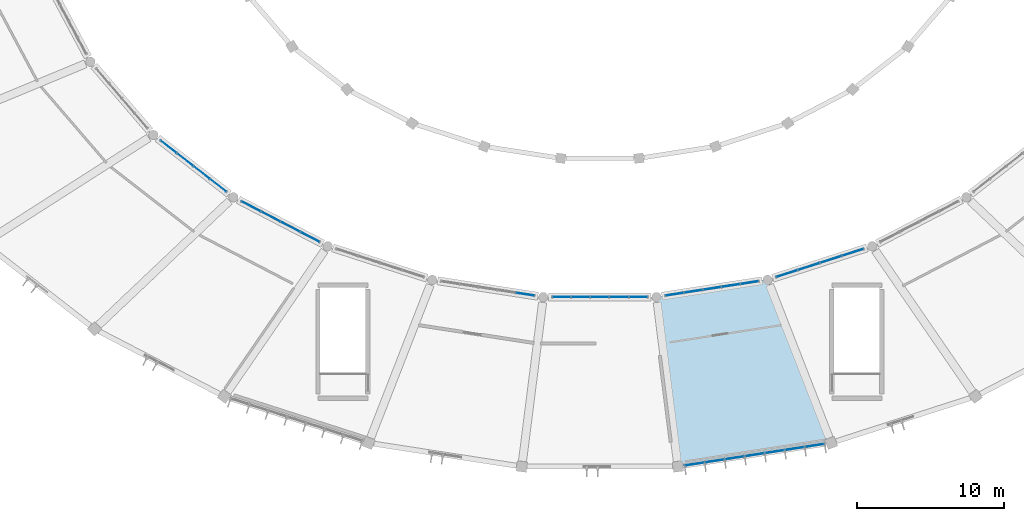
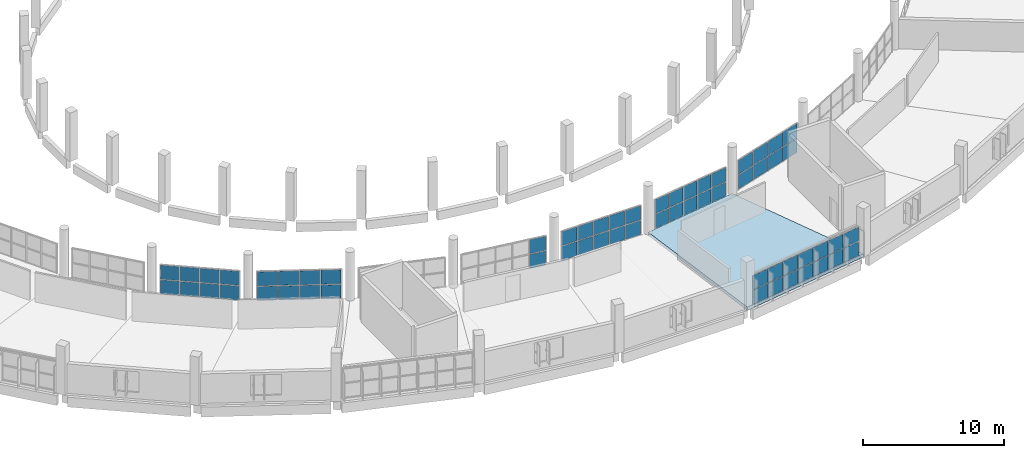
# One storey, part 76 of 142: 60 plates, 1 slab, 7 elements without a shape of their own.
"""IFC4 building model written with IfcOpenShell, lengths in metres."""

from ifc_helpers import new_model, si_unit, direction, frame, origin, origin_2d, place, context, subcontext, project, spatial, polyline, rectangle, outline, extrude, material, layer, layer_set, type_object, element, aggregate, save


model = new_model("IFC4")

# Units and contexts
model_context = context("Model", 3, precision=1e-05, world=origin(), true_north=direction((0.0, 1.0)))
body_context = subcontext(model_context, "Body", "Model", "MODEL_VIEW")
ifc_project = project(units=[si_unit("LENGTHUNIT", "METRE"), si_unit("AREAUNIT", "SQUARE_METRE"), si_unit("VOLUMEUNIT", "CUBIC_METRE"), si_unit("PLANEANGLEUNIT", "RADIAN"), si_unit("MASSUNIT", "GRAM", prefix="KILO")], contexts=[model_context])

# Site, building, storey
site_placement = place(None, origin())
site = spatial("IfcSite", under=ifc_project, at=site_placement, CompositionType="ELEMENT")
building_placement = place(site_placement, origin())
building = spatial("IfcBuilding", under=site, at=building_placement, Name="Corvandel Quay Wholesale Market", CompositionType="ELEMENT")
storey_placement = place(building_placement, frame((0.0, 0.0, 10.800048828125)))
storey = spatial("IfcBuildingStorey", under=building, at=storey_placement, Name="L02", CompositionType="ELEMENT", Elevation=10.800048828125)

# Slab
ifc_material_1 = material(Name="Concrete C40/50", Category="concrete")
ifc_layer_1 = layer(ifc_material_1, 0.280029296875)
ifc_layer_set_1 = layer_set([ifc_layer_1], Name="Concrete C40/50")
slab_type = type_object("IfcSlabType", Name="Composite Sorting Gallery Floor Slab 280", PredefinedType="FLOOR", material=ifc_layer_set_1)
slab_placement = place(storey_placement, frame((0.0, 0.0, -0.280029296875)))
element("IfcSlab", 1, at=slab_placement, inside=storey, type_object=slab_type, Name="Slab SLB-0117", PredefinedType="FLOOR", context=body_context, shape_type="SweptSolid", body=[
    extrude(outline(polyline([(117.85595703125, 11.550048828125), (125.419921875, 12.719970703125), (129.7509765625, 1.614013671875), (119.319091796875, 0.0), (117.85595703125, 11.550048828125)])), origin(), (0.0, 0.0, 1.0), 0.280029296875),
])

# Curtain wall, plates
ifc_material_2 = material(Name="Bronze anodised aluminium and low-E insulated glazing", Category="aluminium")
ifc_layer_2 = layer(ifc_material_2, 0.18603515625)
ifc_layer_set_2 = layer_set([ifc_layer_2], Name="Bronze anodised aluminium and low-E insulated glazing")
curtain_wall_type_1 = type_object("IfcCurtainWallType", Name="Stick Curtain Wall System CW13 H4170", PredefinedType="NOTDEFINED", material=ifc_layer_set_2)
curtain_wall_1_placement = place(storey_placement, origin())
curtain_wall_1 = element("IfcCurtainWall", 2, at=curtain_wall_1_placement, inside=storey, type_object=curtain_wall_type_1, Name="Curtain Wall CW-0059", PredefinedType="NOTDEFINED")
ifc_material_3 = material(Name="Solar-control low-E insulated glazing", Category="glass")
ifc_layer_3 = layer(ifc_material_3, 0.028076171875)
ifc_layer_set_3 = layer_set([ifc_layer_3], Name="Solar-control low-E insulated glazing")
plate_type = type_object("IfcPlateType", Name="Double Low-E Vision Panel PN01 28mm", PredefinedType="CURTAIN_PANEL", material=ifc_layer_set_3)
plate_1_placement = place(storey_placement, frame((84.626708984375, 21.78271484375, 0.02978515625), z_axis=(0.0, 0.0, 1.0), x_axis=(-0.789405615633, 0.613871952452, 0.0)))
plate_1 = element("IfcPlate", 3, at=plate_1_placement, type_object=plate_type, Name="Glazing Panel CW-0059-P00-0", PredefinedType="CURTAIN_PANEL", context=body_context, shape_type="SweptSolid", body=[
    extrude(rectangle(XDim=1.362060546875, YDim=0.028076171875, at=origin_2d()), origin(), (0.0, 0.0, 1.0), 1.215087890625),
])
plate_2_placement = place(storey_placement, frame((84.626708984375, 21.78271484375, 1.3046875), z_axis=(0.0, 0.0, 1.0), x_axis=(-0.789405615633, 0.613871952452, 0.0)))
plate_2 = element("IfcPlate", 4, at=plate_2_placement, type_object=plate_type, Name="Glazing Panel CW-0059-P00-1", PredefinedType="CURTAIN_PANEL", context=body_context, shape_type="SweptSolid", body=[
    extrude(rectangle(XDim=1.362060546875, YDim=0.028076171875, at=origin_2d()), origin(), (0.0, 0.0, 1.0), 1.215087890625),
])
plate_3_placement = place(storey_placement, frame((85.75341796875, 20.906494140625, 0.02978515625), z_axis=(0.0, 0.0, 1.0), x_axis=(-0.789405615633, 0.613871952452, 0.0)))
plate_3 = element("IfcPlate", 5, at=plate_3_placement, type_object=plate_type, Name="Glazing Panel CW-0059-P01-0", PredefinedType="CURTAIN_PANEL", context=body_context, shape_type="SweptSolid", body=[
    extrude(rectangle(XDim=1.362060546875, YDim=0.028076171875, at=origin_2d()), origin(), (0.0, 0.0, 1.0), 1.215087890625),
])
plate_4_placement = place(storey_placement, frame((85.75341796875, 20.906494140625, 1.3046875), z_axis=(0.0, 0.0, 1.0), x_axis=(-0.789405615633, 0.613871952452, 0.0)))
plate_4 = element("IfcPlate", 6, at=plate_4_placement, type_object=plate_type, Name="Glazing Panel CW-0059-P01-1", PredefinedType="CURTAIN_PANEL", context=body_context, shape_type="SweptSolid", body=[
    extrude(rectangle(XDim=1.362060546875, YDim=0.028076171875, at=origin_2d()), origin(), (0.0, 0.0, 1.0), 1.215087890625),
])
plate_5_placement = place(storey_placement, frame((86.879638671875, 20.030517578125, 0.02978515625), z_axis=(0.0, 0.0, 1.0), x_axis=(-0.789405615633, 0.613871952452, 0.0)))
plate_5 = element("IfcPlate", 7, at=plate_5_placement, type_object=plate_type, Name="Glazing Panel CW-0059-P02-0", PredefinedType="CURTAIN_PANEL", context=body_context, shape_type="SweptSolid", body=[
    extrude(rectangle(XDim=1.362060546875, YDim=0.028076171875, at=origin_2d()), origin(), (0.0, 0.0, 1.0), 1.215087890625),
])
plate_6_placement = place(storey_placement, frame((86.879638671875, 20.030517578125, 1.3046875), z_axis=(0.0, 0.0, 1.0), x_axis=(-0.789405615633, 0.613871952452, 0.0)))
plate_6 = element("IfcPlate", 8, at=plate_6_placement, type_object=plate_type, Name="Glazing Panel CW-0059-P02-1", PredefinedType="CURTAIN_PANEL", context=body_context, shape_type="SweptSolid", body=[
    extrude(rectangle(XDim=1.362060546875, YDim=0.028076171875, at=origin_2d()), origin(), (0.0, 0.0, 1.0), 1.215087890625),
])
plate_7_placement = place(storey_placement, frame((88.006103515625, 19.154296875, 0.02978515625), z_axis=(0.0, 0.0, 1.0), x_axis=(-0.789405615633, 0.613871952452, 0.0)))
plate_7 = element("IfcPlate", 9, at=plate_7_placement, type_object=plate_type, Name="Glazing Panel CW-0059-P03-0", PredefinedType="CURTAIN_PANEL", context=body_context, shape_type="SweptSolid", body=[
    extrude(rectangle(XDim=1.362060546875, YDim=0.028076171875, at=origin_2d()), origin(), (0.0, 0.0, 1.0), 1.215087890625),
])
plate_8_placement = place(storey_placement, frame((88.006103515625, 19.154296875, 1.3046875), z_axis=(0.0, 0.0, 1.0), x_axis=(-0.789405615633, 0.613871952452, 0.0)))
plate_8 = element("IfcPlate", 10, at=plate_8_placement, type_object=plate_type, Name="Glazing Panel CW-0059-P03-1", PredefinedType="CURTAIN_PANEL", context=body_context, shape_type="SweptSolid", body=[
    extrude(rectangle(XDim=1.362060546875, YDim=0.028076171875, at=origin_2d()), origin(), (0.0, 0.0, 1.0), 1.215087890625),
])
aggregate(curtain_wall_1, [plate_1, plate_2, plate_3, plate_4, plate_5, plate_6, plate_7, plate_8])

ifc_layer_4 = layer(ifc_material_2, 0.197998046875)
ifc_layer_set_4 = layer_set([ifc_layer_4], Name="Bronze anodised aluminium and low-E insulated glazing")
curtain_wall_type_2 = type_object("IfcCurtainWallType", Name="Stick Curtain Wall System CW14 H4260", PredefinedType="NOTDEFINED", material=ifc_layer_set_4)
curtain_wall_2_placement = place(storey_placement, origin())
curtain_wall_2 = element("IfcCurtainWall", 11, at=curtain_wall_2_placement, inside=storey, type_object=curtain_wall_type_2, Name="Curtain Wall CW-0062", PredefinedType="NOTDEFINED")
plate_9_placement = place(storey_placement, frame((90.243896484375, 17.72412109375, 0.02978515625), z_axis=(0.0, 0.0, 1.0), x_axis=(-0.887332978338, 0.461129250378, 0.0)))
plate_9 = element("IfcPlate", 12, at=plate_9_placement, type_object=plate_type, Name="Glazing Panel CW-0062-P00-0", PredefinedType="CURTAIN_PANEL", context=body_context, shape_type="SweptSolid", body=[
    extrude(rectangle(XDim=1.44189453125, YDim=0.028076171875, at=origin_2d()), origin(), (0.0, 0.0, 1.0), 1.215087890625),
])
plate_10_placement = place(storey_placement, frame((90.243896484375, 17.72412109375, 1.3046875), z_axis=(0.0, 0.0, 1.0), x_axis=(-0.887332978338, 0.461129250378, 0.0)))
plate_10 = element("IfcPlate", 13, at=plate_10_placement, type_object=plate_type, Name="Glazing Panel CW-0062-P00-1", PredefinedType="CURTAIN_PANEL", context=body_context, shape_type="SweptSolid", body=[
    extrude(rectangle(XDim=1.44189453125, YDim=0.028076171875, at=origin_2d()), origin(), (0.0, 0.0, 1.0), 1.215087890625),
])
plate_11_placement = place(storey_placement, frame((91.5810546875, 17.029296875, 0.02978515625), z_axis=(0.0, 0.0, 1.0), x_axis=(-0.887332978338, 0.461129250378, 0.0)))
plate_11 = element("IfcPlate", 14, at=plate_11_placement, type_object=plate_type, Name="Glazing Panel CW-0062-P01-0", PredefinedType="CURTAIN_PANEL", context=body_context, shape_type="SweptSolid", body=[
    extrude(rectangle(XDim=1.44189453125, YDim=0.028076171875, at=origin_2d()), origin(), (0.0, 0.0, 1.0), 1.215087890625),
])
plate_12_placement = place(storey_placement, frame((91.5810546875, 17.029296875, 1.3046875), z_axis=(0.0, 0.0, 1.0), x_axis=(-0.887332978338, 0.461129250378, 0.0)))
plate_12 = element("IfcPlate", 15, at=plate_12_placement, type_object=plate_type, Name="Glazing Panel CW-0062-P01-1", PredefinedType="CURTAIN_PANEL", context=body_context, shape_type="SweptSolid", body=[
    extrude(rectangle(XDim=1.44189453125, YDim=0.028076171875, at=origin_2d()), origin(), (0.0, 0.0, 1.0), 1.215087890625),
])
plate_13_placement = place(storey_placement, frame((92.91796875, 16.334716796875, 0.02978515625), z_axis=(0.0, 0.0, 1.0), x_axis=(-0.887332978338, 0.461129250378, 0.0)))
plate_13 = element("IfcPlate", 16, at=plate_13_placement, type_object=plate_type, Name="Glazing Panel CW-0062-P02-0", PredefinedType="CURTAIN_PANEL", context=body_context, shape_type="SweptSolid", body=[
    extrude(rectangle(XDim=1.44189453125, YDim=0.028076171875, at=origin_2d()), origin(), (0.0, 0.0, 1.0), 1.215087890625),
])
plate_14_placement = place(storey_placement, frame((92.91796875, 16.334716796875, 1.3046875), z_axis=(0.0, 0.0, 1.0), x_axis=(-0.887332978338, 0.461129250378, 0.0)))
plate_14 = element("IfcPlate", 17, at=plate_14_placement, type_object=plate_type, Name="Glazing Panel CW-0062-P02-1", PredefinedType="CURTAIN_PANEL", context=body_context, shape_type="SweptSolid", body=[
    extrude(rectangle(XDim=1.44189453125, YDim=0.028076171875, at=origin_2d()), origin(), (0.0, 0.0, 1.0), 1.215087890625),
])
plate_15_placement = place(storey_placement, frame((94.255126953125, 15.639892578125, 0.02978515625), z_axis=(0.0, 0.0, 1.0), x_axis=(-0.887332978338, 0.461129250378, 0.0)))
plate_15 = element("IfcPlate", 18, at=plate_15_placement, type_object=plate_type, Name="Glazing Panel CW-0062-P03-0", PredefinedType="CURTAIN_PANEL", context=body_context, shape_type="SweptSolid", body=[
    extrude(rectangle(XDim=1.44189453125, YDim=0.028076171875, at=origin_2d()), origin(), (0.0, 0.0, 1.0), 1.215087890625),
])
plate_16_placement = place(storey_placement, frame((94.255126953125, 15.639892578125, 1.3046875), z_axis=(0.0, 0.0, 1.0), x_axis=(-0.887332978338, 0.461129250378, 0.0)))
plate_16 = element("IfcPlate", 19, at=plate_16_placement, type_object=plate_type, Name="Glazing Panel CW-0062-P03-1", PredefinedType="CURTAIN_PANEL", context=body_context, shape_type="SweptSolid", body=[
    extrude(rectangle(XDim=1.44189453125, YDim=0.028076171875, at=origin_2d()), origin(), (0.0, 0.0, 1.0), 1.215087890625),
])
aggregate(curtain_wall_2, [plate_9, plate_10, plate_11, plate_12, plate_13, plate_14, plate_15, plate_16])

ifc_layer_5 = layer(ifc_material_2, 0.162109375)
ifc_layer_set_5 = layer_set([ifc_layer_5], Name="Bronze anodised aluminium and low-E insulated glazing")
curtain_wall_type_3 = type_object("IfcCurtainWallType", Name="Stick Curtain Wall System CW16 H4440", PredefinedType="NOTDEFINED", material=ifc_layer_set_5)
curtain_wall_3_placement = place(storey_placement, origin())
curtain_wall_3 = element("IfcCurtainWall", 20, at=curtain_wall_3_placement, inside=storey, type_object=curtain_wall_type_3, Name="Curtain Wall CW-0068", PredefinedType="NOTDEFINED")
plate_17_placement = place(storey_placement, frame((108.9130859375, 11.740478515625, 0.02978515625), z_axis=(0.0, 0.0, 1.0), x_axis=(-0.98825506746, 0.152813355565, 0.0)))
plate_17 = element("IfcPlate", 21, at=plate_17_placement, type_object=plate_type, Name="Glazing Panel CW-0068-P04-0", PredefinedType="CURTAIN_PANEL", context=body_context, shape_type="SweptSolid", body=[
    extrude(rectangle(XDim=1.225830078125, YDim=0.028076171875, at=origin_2d()), origin(), (0.0, 0.0, 1.0), 1.215087890625),
])
plate_18_placement = place(storey_placement, frame((108.9130859375, 11.740478515625, 1.3046875), z_axis=(0.0, 0.0, 1.0), x_axis=(-0.98825506746, 0.152813355565, 0.0)))
plate_18 = element("IfcPlate", 22, at=plate_18_placement, type_object=plate_type, Name="Glazing Panel CW-0068-P04-1", PredefinedType="CURTAIN_PANEL", context=body_context, shape_type="SweptSolid", body=[
    extrude(rectangle(XDim=1.225830078125, YDim=0.028076171875, at=origin_2d()), origin(), (0.0, 0.0, 1.0), 1.215087890625),
])
aggregate(curtain_wall_3, [plate_17, plate_18])

ifc_layer_6 = layer(ifc_material_2, 0.174072265625)
ifc_layer_set_6 = layer_set([ifc_layer_6], Name="Bronze anodised aluminium and low-E insulated glazing")
curtain_wall_type_4 = type_object("IfcCurtainWallType", Name="Stick Curtain Wall System CW17 H4530", PredefinedType="NOTDEFINED", material=ifc_layer_set_6)
curtain_wall_4_placement = place(storey_placement, origin())
curtain_wall_4 = element("IfcCurtainWall", 23, at=curtain_wall_4_placement, inside=storey, type_object=curtain_wall_type_4, Name="Curtain Wall CW-0070", PredefinedType="NOTDEFINED")
plate_19_placement = place(storey_placement, frame((111.395263671875, 11.550048828125, 0.02978515625), z_axis=(0.0, 0.0, 1.0), x_axis=(1.0, 0.0, 0.0)))
plate_19 = element("IfcPlate", 24, at=plate_19_placement, type_object=plate_type, Name="Glazing Panel CW-0070-P00-0", PredefinedType="CURTAIN_PANEL", context=body_context, shape_type="SweptSolid", body=[
    extrude(rectangle(XDim=1.2373046875, YDim=0.028076171875, at=origin_2d()), origin(), (0.0, 0.0, 1.0), 1.215087890625),
])
plate_20_placement = place(storey_placement, frame((111.395263671875, 11.550048828125, 1.3046875), z_axis=(0.0, 0.0, 1.0), x_axis=(1.0, 0.0, 0.0)))
plate_20 = element("IfcPlate", 25, at=plate_20_placement, type_object=plate_type, Name="Glazing Panel CW-0070-P00-1", PredefinedType="CURTAIN_PANEL", context=body_context, shape_type="SweptSolid", body=[
    extrude(rectangle(XDim=1.2373046875, YDim=0.028076171875, at=origin_2d()), origin(), (0.0, 0.0, 1.0), 1.215087890625),
])
plate_21_placement = place(storey_placement, frame((112.697509765625, 11.550048828125, 0.02978515625), z_axis=(0.0, 0.0, 1.0), x_axis=(1.0, 0.0, 0.0)))
plate_21 = element("IfcPlate", 26, at=plate_21_placement, type_object=plate_type, Name="Glazing Panel CW-0070-P01-0", PredefinedType="CURTAIN_PANEL", context=body_context, shape_type="SweptSolid", body=[
    extrude(rectangle(XDim=1.2373046875, YDim=0.028076171875, at=origin_2d()), origin(), (0.0, 0.0, 1.0), 1.215087890625),
])
plate_22_placement = place(storey_placement, frame((112.697509765625, 11.550048828125, 1.3046875), z_axis=(0.0, 0.0, 1.0), x_axis=(1.0, 0.0, 0.0)))
plate_22 = element("IfcPlate", 27, at=plate_22_placement, type_object=plate_type, Name="Glazing Panel CW-0070-P01-1", PredefinedType="CURTAIN_PANEL", context=body_context, shape_type="SweptSolid", body=[
    extrude(rectangle(XDim=1.2373046875, YDim=0.028076171875, at=origin_2d()), origin(), (0.0, 0.0, 1.0), 1.215087890625),
])
plate_23_placement = place(storey_placement, frame((114.0, 11.550048828125, 0.02978515625), z_axis=(0.0, 0.0, 1.0), x_axis=(1.0, 0.0, 0.0)))
plate_23 = element("IfcPlate", 28, at=plate_23_placement, type_object=plate_type, Name="Glazing Panel CW-0070-P02-0", PredefinedType="CURTAIN_PANEL", context=body_context, shape_type="SweptSolid", body=[
    extrude(rectangle(XDim=1.2373046875, YDim=0.028076171875, at=origin_2d()), origin(), (0.0, 0.0, 1.0), 1.215087890625),
])
plate_24_placement = place(storey_placement, frame((114.0, 11.550048828125, 1.3046875), z_axis=(0.0, 0.0, 1.0), x_axis=(1.0, 0.0, 0.0)))
plate_24 = element("IfcPlate", 29, at=plate_24_placement, type_object=plate_type, Name="Glazing Panel CW-0070-P02-1", PredefinedType="CURTAIN_PANEL", context=body_context, shape_type="SweptSolid", body=[
    extrude(rectangle(XDim=1.2373046875, YDim=0.028076171875, at=origin_2d()), origin(), (0.0, 0.0, 1.0), 1.215087890625),
])
plate_25_placement = place(storey_placement, frame((115.302490234375, 11.550048828125, 0.02978515625), z_axis=(0.0, 0.0, 1.0), x_axis=(1.0, 0.0, 0.0)))
plate_25 = element("IfcPlate", 30, at=plate_25_placement, type_object=plate_type, Name="Glazing Panel CW-0070-P03-0", PredefinedType="CURTAIN_PANEL", context=body_context, shape_type="SweptSolid", body=[
    extrude(rectangle(XDim=1.2373046875, YDim=0.028076171875, at=origin_2d()), origin(), (0.0, 0.0, 1.0), 1.215087890625),
])
plate_26_placement = place(storey_placement, frame((115.302490234375, 11.550048828125, 1.3046875), z_axis=(0.0, 0.0, 1.0), x_axis=(1.0, 0.0, 0.0)))
plate_26 = element("IfcPlate", 31, at=plate_26_placement, type_object=plate_type, Name="Glazing Panel CW-0070-P03-1", PredefinedType="CURTAIN_PANEL", context=body_context, shape_type="SweptSolid", body=[
    extrude(rectangle(XDim=1.2373046875, YDim=0.028076171875, at=origin_2d()), origin(), (0.0, 0.0, 1.0), 1.215087890625),
])
plate_27_placement = place(storey_placement, frame((116.604736328125, 11.550048828125, 0.02978515625), z_axis=(0.0, 0.0, 1.0), x_axis=(1.0, 0.0, 0.0)))
plate_27 = element("IfcPlate", 32, at=plate_27_placement, type_object=plate_type, Name="Glazing Panel CW-0070-P04-0", PredefinedType="CURTAIN_PANEL", context=body_context, shape_type="SweptSolid", body=[
    extrude(rectangle(XDim=1.2373046875, YDim=0.028076171875, at=origin_2d()), origin(), (0.0, 0.0, 1.0), 1.215087890625),
])
plate_28_placement = place(storey_placement, frame((116.604736328125, 11.550048828125, 1.3046875), z_axis=(0.0, 0.0, 1.0), x_axis=(1.0, 0.0, 0.0)))
plate_28 = element("IfcPlate", 33, at=plate_28_placement, type_object=plate_type, Name="Glazing Panel CW-0070-P04-1", PredefinedType="CURTAIN_PANEL", context=body_context, shape_type="SweptSolid", body=[
    extrude(rectangle(XDim=1.2373046875, YDim=0.028076171875, at=origin_2d()), origin(), (0.0, 0.0, 1.0), 1.215087890625),
])
aggregate(curtain_wall_4, [plate_19, plate_20, plate_21, plate_22, plate_23, plate_24, plate_25, plate_26, plate_27, plate_28])

ifc_layer_7 = layer(ifc_material_2, 0.14990234375)
ifc_layer_set_7 = layer_set([ifc_layer_7], Name="Bronze anodised aluminium and low-E insulated glazing")
curtain_wall_type_5 = type_object("IfcCurtainWallType", Name="Stick Curtain Wall System CW05 H3450", PredefinedType="NOTDEFINED", material=ifc_layer_set_7)
curtain_wall_5_placement = place(storey_placement, origin())
curtain_wall_5 = element("IfcCurtainWall", 34, at=curtain_wall_5_placement, inside=storey, type_object=curtain_wall_type_5, Name="Curtain Wall CW-0072", PredefinedType="NOTDEFINED")
plate_29_placement = place(storey_placement, frame((120.4453125, 0.17431640625, 0.02978515625), z_axis=(0.0, 0.0, 1.0), x_axis=(0.98825506746, 0.152813355565, 0.0)))
plate_29 = element("IfcPlate", 35, at=plate_29_placement, type_object=plate_type, Name="Glazing Panel CW-0072-P00-0", PredefinedType="CURTAIN_PANEL", context=body_context, shape_type="SweptSolid", body=[
    extrude(rectangle(XDim=1.314453125, YDim=0.028076171875, at=origin_2d()), origin(), (0.0, 0.0, 1.0), 1.215087890625),
])
plate_30_placement = place(storey_placement, frame((120.4453125, 0.17431640625, 1.3046875), z_axis=(0.0, 0.0, 1.0), x_axis=(0.98825506746, 0.152813355565, 0.0)))
plate_30 = element("IfcPlate", 36, at=plate_30_placement, type_object=plate_type, Name="Glazing Panel CW-0072-P00-1", PredefinedType="CURTAIN_PANEL", context=body_context, shape_type="SweptSolid", body=[
    extrude(rectangle(XDim=1.314453125, YDim=0.028076171875, at=origin_2d()), origin(), (0.0, 0.0, 1.0), 1.215087890625),
])
plate_31_placement = place(storey_placement, frame((121.80859375, 0.38525390625, 0.02978515625), z_axis=(0.0, 0.0, 1.0), x_axis=(0.98825506746, 0.152813355565, 0.0)))
plate_31 = element("IfcPlate", 37, at=plate_31_placement, type_object=plate_type, Name="Glazing Panel CW-0072-P01-0", PredefinedType="CURTAIN_PANEL", context=body_context, shape_type="SweptSolid", body=[
    extrude(rectangle(XDim=1.314453125, YDim=0.028076171875, at=origin_2d()), origin(), (0.0, 0.0, 1.0), 1.215087890625),
])
plate_32_placement = place(storey_placement, frame((121.80859375, 0.38525390625, 1.3046875), z_axis=(0.0, 0.0, 1.0), x_axis=(0.98825506746, 0.152813355565, 0.0)))
plate_32 = element("IfcPlate", 38, at=plate_32_placement, type_object=plate_type, Name="Glazing Panel CW-0072-P01-1", PredefinedType="CURTAIN_PANEL", context=body_context, shape_type="SweptSolid", body=[
    extrude(rectangle(XDim=1.314453125, YDim=0.028076171875, at=origin_2d()), origin(), (0.0, 0.0, 1.0), 1.215087890625),
])
plate_33_placement = place(storey_placement, frame((123.171875, 0.59619140625, 0.02978515625), z_axis=(0.0, 0.0, 1.0), x_axis=(0.98825506746, 0.152813355565, 0.0)))
plate_33 = element("IfcPlate", 39, at=plate_33_placement, type_object=plate_type, Name="Glazing Panel CW-0072-P02-0", PredefinedType="CURTAIN_PANEL", context=body_context, shape_type="SweptSolid", body=[
    extrude(rectangle(XDim=1.314453125, YDim=0.028076171875, at=origin_2d()), origin(), (0.0, 0.0, 1.0), 1.215087890625),
])
plate_34_placement = place(storey_placement, frame((123.171875, 0.59619140625, 1.3046875), z_axis=(0.0, 0.0, 1.0), x_axis=(0.98825506746, 0.152813355565, 0.0)))
plate_34 = element("IfcPlate", 40, at=plate_34_placement, type_object=plate_type, Name="Glazing Panel CW-0072-P02-1", PredefinedType="CURTAIN_PANEL", context=body_context, shape_type="SweptSolid", body=[
    extrude(rectangle(XDim=1.314453125, YDim=0.028076171875, at=origin_2d()), origin(), (0.0, 0.0, 1.0), 1.215087890625),
])
plate_35_placement = place(storey_placement, frame((124.534912109375, 0.806884765625, 0.02978515625), z_axis=(0.0, 0.0, 1.0), x_axis=(0.98825506746, 0.152813355565, 0.0)))
plate_35 = element("IfcPlate", 41, at=plate_35_placement, type_object=plate_type, Name="Glazing Panel CW-0072-P03-0", PredefinedType="CURTAIN_PANEL", context=body_context, shape_type="SweptSolid", body=[
    extrude(rectangle(XDim=1.314453125, YDim=0.028076171875, at=origin_2d()), origin(), (0.0, 0.0, 1.0), 1.215087890625),
])
plate_36_placement = place(storey_placement, frame((124.534912109375, 0.806884765625, 1.3046875), z_axis=(0.0, 0.0, 1.0), x_axis=(0.98825506746, 0.152813355565, 0.0)))
plate_36 = element("IfcPlate", 42, at=plate_36_placement, type_object=plate_type, Name="Glazing Panel CW-0072-P03-1", PredefinedType="CURTAIN_PANEL", context=body_context, shape_type="SweptSolid", body=[
    extrude(rectangle(XDim=1.314453125, YDim=0.028076171875, at=origin_2d()), origin(), (0.0, 0.0, 1.0), 1.215087890625),
])
plate_37_placement = place(storey_placement, frame((125.898193359375, 1.017822265625, 0.02978515625), z_axis=(0.0, 0.0, 1.0), x_axis=(0.98825506746, 0.152813355565, 0.0)))
plate_37 = element("IfcPlate", 43, at=plate_37_placement, type_object=plate_type, Name="Glazing Panel CW-0072-P04-0", PredefinedType="CURTAIN_PANEL", context=body_context, shape_type="SweptSolid", body=[
    extrude(rectangle(XDim=1.314453125, YDim=0.028076171875, at=origin_2d()), origin(), (0.0, 0.0, 1.0), 1.215087890625),
])
plate_38_placement = place(storey_placement, frame((125.898193359375, 1.017822265625, 1.3046875), z_axis=(0.0, 0.0, 1.0), x_axis=(0.98825506746, 0.152813355565, 0.0)))
plate_38 = element("IfcPlate", 44, at=plate_38_placement, type_object=plate_type, Name="Glazing Panel CW-0072-P04-1", PredefinedType="CURTAIN_PANEL", context=body_context, shape_type="SweptSolid", body=[
    extrude(rectangle(XDim=1.314453125, YDim=0.028076171875, at=origin_2d()), origin(), (0.0, 0.0, 1.0), 1.215087890625),
])
plate_39_placement = place(storey_placement, frame((127.261474609375, 1.228759765625, 0.02978515625), z_axis=(0.0, 0.0, 1.0), x_axis=(0.98825506746, 0.152813355565, 0.0)))
plate_39 = element("IfcPlate", 45, at=plate_39_placement, type_object=plate_type, Name="Glazing Panel CW-0072-P05-0", PredefinedType="CURTAIN_PANEL", context=body_context, shape_type="SweptSolid", body=[
    extrude(rectangle(XDim=1.314453125, YDim=0.028076171875, at=origin_2d()), origin(), (0.0, 0.0, 1.0), 1.215087890625),
])
plate_40_placement = place(storey_placement, frame((127.261474609375, 1.228759765625, 1.3046875), z_axis=(0.0, 0.0, 1.0), x_axis=(0.98825506746, 0.152813355565, 0.0)))
plate_40 = element("IfcPlate", 46, at=plate_40_placement, type_object=plate_type, Name="Glazing Panel CW-0072-P05-1", PredefinedType="CURTAIN_PANEL", context=body_context, shape_type="SweptSolid", body=[
    extrude(rectangle(XDim=1.314453125, YDim=0.028076171875, at=origin_2d()), origin(), (0.0, 0.0, 1.0), 1.215087890625),
])
plate_41_placement = place(storey_placement, frame((128.624755859375, 1.439697265625, 0.02978515625), z_axis=(0.0, 0.0, 1.0), x_axis=(0.98825506746, 0.152813355565, 0.0)))
plate_41 = element("IfcPlate", 47, at=plate_41_placement, type_object=plate_type, Name="Glazing Panel CW-0072-P06-0", PredefinedType="CURTAIN_PANEL", context=body_context, shape_type="SweptSolid", body=[
    extrude(rectangle(XDim=1.314453125, YDim=0.028076171875, at=origin_2d()), origin(), (0.0, 0.0, 1.0), 1.215087890625),
])
plate_42_placement = place(storey_placement, frame((128.624755859375, 1.439697265625, 1.3046875), z_axis=(0.0, 0.0, 1.0), x_axis=(0.98825506746, 0.152813355565, 0.0)))
plate_42 = element("IfcPlate", 48, at=plate_42_placement, type_object=plate_type, Name="Glazing Panel CW-0072-P06-1", PredefinedType="CURTAIN_PANEL", context=body_context, shape_type="SweptSolid", body=[
    extrude(rectangle(XDim=1.314453125, YDim=0.028076171875, at=origin_2d()), origin(), (0.0, 0.0, 1.0), 1.215087890625),
])
aggregate(curtain_wall_5, [plate_29, plate_30, plate_31, plate_32, plate_33, plate_34, plate_35, plate_36, plate_37, plate_38, plate_39, plate_40, plate_41, plate_42])

ifc_layer_8 = layer(ifc_material_2, 0.18603515625)
ifc_layer_set_8 = layer_set([ifc_layer_8], Name="Bronze anodised aluminium and low-E insulated glazing")
curtain_wall_type_6 = type_object("IfcCurtainWallType", Name="Stick Curtain Wall System CW18 H4620", PredefinedType="NOTDEFINED", material=ifc_layer_set_8)
curtain_wall_6_placement = place(storey_placement, origin())
curtain_wall_6 = element("IfcCurtainWall", 49, at=curtain_wall_6_placement, inside=storey, type_object=curtain_wall_type_6, Name="Curtain Wall CW-0074", PredefinedType="NOTDEFINED")
plate_43_placement = place(storey_placement, frame((119.0869140625, 11.740478515625, 0.02978515625), z_axis=(0.0, 0.0, 1.0), x_axis=(0.98825506746, 0.152813355565, 0.0)))
plate_43 = element("IfcPlate", 50, at=plate_43_placement, type_object=plate_type, Name="Glazing Panel CW-0074-P00-0", PredefinedType="CURTAIN_PANEL", context=body_context, shape_type="SweptSolid", body=[
    extrude(rectangle(XDim=1.225830078125, YDim=0.028076171875, at=origin_2d()), origin(), (0.0, 0.0, 1.0), 1.215087890625),
])
plate_44_placement = place(storey_placement, frame((119.0869140625, 11.740478515625, 1.3046875), z_axis=(0.0, 0.0, 1.0), x_axis=(0.98825506746, 0.152813355565, 0.0)))
plate_44 = element("IfcPlate", 51, at=plate_44_placement, type_object=plate_type, Name="Glazing Panel CW-0074-P00-1", PredefinedType="CURTAIN_PANEL", context=body_context, shape_type="SweptSolid", body=[
    extrude(rectangle(XDim=1.225830078125, YDim=0.028076171875, at=origin_2d()), origin(), (0.0, 0.0, 1.0), 1.215087890625),
])
plate_45_placement = place(storey_placement, frame((120.3623046875, 11.937744140625, 0.02978515625), z_axis=(0.0, 0.0, 1.0), x_axis=(0.98825506746, 0.152813355565, 0.0)))
plate_45 = element("IfcPlate", 52, at=plate_45_placement, type_object=plate_type, Name="Glazing Panel CW-0074-P01-0", PredefinedType="CURTAIN_PANEL", context=body_context, shape_type="SweptSolid", body=[
    extrude(rectangle(XDim=1.225830078125, YDim=0.028076171875, at=origin_2d()), origin(), (0.0, 0.0, 1.0), 1.215087890625),
])
plate_46_placement = place(storey_placement, frame((120.3623046875, 11.937744140625, 1.3046875), z_axis=(0.0, 0.0, 1.0), x_axis=(0.98825506746, 0.152813355565, 0.0)))
plate_46 = element("IfcPlate", 53, at=plate_46_placement, type_object=plate_type, Name="Glazing Panel CW-0074-P01-1", PredefinedType="CURTAIN_PANEL", context=body_context, shape_type="SweptSolid", body=[
    extrude(rectangle(XDim=1.225830078125, YDim=0.028076171875, at=origin_2d()), origin(), (0.0, 0.0, 1.0), 1.215087890625),
])
plate_47_placement = place(storey_placement, frame((121.637939453125, 12.135009765625, 0.02978515625), z_axis=(0.0, 0.0, 1.0), x_axis=(0.98825506746, 0.152813355565, 0.0)))
plate_47 = element("IfcPlate", 54, at=plate_47_placement, type_object=plate_type, Name="Glazing Panel CW-0074-P02-0", PredefinedType="CURTAIN_PANEL", context=body_context, shape_type="SweptSolid", body=[
    extrude(rectangle(XDim=1.225830078125, YDim=0.028076171875, at=origin_2d()), origin(), (0.0, 0.0, 1.0), 1.215087890625),
])
plate_48_placement = place(storey_placement, frame((121.637939453125, 12.135009765625, 1.3046875), z_axis=(0.0, 0.0, 1.0), x_axis=(0.98825506746, 0.152813355565, 0.0)))
plate_48 = element("IfcPlate", 55, at=plate_48_placement, type_object=plate_type, Name="Glazing Panel CW-0074-P02-1", PredefinedType="CURTAIN_PANEL", context=body_context, shape_type="SweptSolid", body=[
    extrude(rectangle(XDim=1.225830078125, YDim=0.028076171875, at=origin_2d()), origin(), (0.0, 0.0, 1.0), 1.215087890625),
])
plate_49_placement = place(storey_placement, frame((122.91357421875, 12.332275390625, 0.02978515625), z_axis=(0.0, 0.0, 1.0), x_axis=(0.98825506746, 0.152813355565, 0.0)))
plate_49 = element("IfcPlate", 56, at=plate_49_placement, type_object=plate_type, Name="Glazing Panel CW-0074-P03-0", PredefinedType="CURTAIN_PANEL", context=body_context, shape_type="SweptSolid", body=[
    extrude(rectangle(XDim=1.225830078125, YDim=0.028076171875, at=origin_2d()), origin(), (0.0, 0.0, 1.0), 1.215087890625),
])
plate_50_placement = place(storey_placement, frame((122.91357421875, 12.332275390625, 1.3046875), z_axis=(0.0, 0.0, 1.0), x_axis=(0.98825506746, 0.152813355565, 0.0)))
plate_50 = element("IfcPlate", 57, at=plate_50_placement, type_object=plate_type, Name="Glazing Panel CW-0074-P03-1", PredefinedType="CURTAIN_PANEL", context=body_context, shape_type="SweptSolid", body=[
    extrude(rectangle(XDim=1.225830078125, YDim=0.028076171875, at=origin_2d()), origin(), (0.0, 0.0, 1.0), 1.215087890625),
])
plate_51_placement = place(storey_placement, frame((124.189208984375, 12.529541015625, 0.02978515625), z_axis=(0.0, 0.0, 1.0), x_axis=(0.98825506746, 0.152813355565, 0.0)))
plate_51 = element("IfcPlate", 58, at=plate_51_placement, type_object=plate_type, Name="Glazing Panel CW-0074-P04-0", PredefinedType="CURTAIN_PANEL", context=body_context, shape_type="SweptSolid", body=[
    extrude(rectangle(XDim=1.225830078125, YDim=0.028076171875, at=origin_2d()), origin(), (0.0, 0.0, 1.0), 1.215087890625),
])
plate_52_placement = place(storey_placement, frame((124.189208984375, 12.529541015625, 1.3046875), z_axis=(0.0, 0.0, 1.0), x_axis=(0.98825506746, 0.152813355565, 0.0)))
plate_52 = element("IfcPlate", 59, at=plate_52_placement, type_object=plate_type, Name="Glazing Panel CW-0074-P04-1", PredefinedType="CURTAIN_PANEL", context=body_context, shape_type="SweptSolid", body=[
    extrude(rectangle(XDim=1.225830078125, YDim=0.028076171875, at=origin_2d()), origin(), (0.0, 0.0, 1.0), 1.215087890625),
])
aggregate(curtain_wall_6, [plate_43, plate_44, plate_45, plate_46, plate_47, plate_48, plate_49, plate_50, plate_51, plate_52])

ifc_layer_9 = layer(ifc_material_2, 0.197998046875)
ifc_layer_set_9 = layer_set([ifc_layer_9], Name="Bronze anodised aluminium and low-E insulated glazing")
curtain_wall_type_7 = type_object("IfcCurtainWallType", Name="Stick Curtain Wall System CW19 H4710", PredefinedType="NOTDEFINED", material=ifc_layer_set_9)
curtain_wall_7_placement = place(storey_placement, origin())
curtain_wall_7 = element("IfcCurtainWall", 60, at=curtain_wall_7_placement, inside=storey, type_object=curtain_wall_type_7, Name="Curtain Wall CW-0077", PredefinedType="NOTDEFINED")
plate_53_placement = place(storey_placement, frame((126.73876953125, 13.14501953125, 0.02978515625), z_axis=(0.0, 0.0, 1.0), x_axis=(0.951808747363, 0.306692204733, 0.0)))
plate_53 = element("IfcPlate", 61, at=plate_53_placement, type_object=plate_type, Name="Glazing Panel CW-0077-P00-0", PredefinedType="CURTAIN_PANEL", context=body_context, shape_type="SweptSolid", body=[
    extrude(rectangle(XDim=1.506103515625, YDim=0.028076171875, at=origin_2d()), origin(), (0.0, 0.0, 1.0), 1.215087890625),
])
plate_54_placement = place(storey_placement, frame((126.73876953125, 13.14501953125, 1.3046875), z_axis=(0.0, 0.0, 1.0), x_axis=(0.951808747363, 0.306692204733, 0.0)))
plate_54 = element("IfcPlate", 62, at=plate_54_placement, type_object=plate_type, Name="Glazing Panel CW-0077-P00-1", PredefinedType="CURTAIN_PANEL", context=body_context, shape_type="SweptSolid", body=[
    extrude(rectangle(XDim=1.506103515625, YDim=0.028076171875, at=origin_2d()), origin(), (0.0, 0.0, 1.0), 1.215087890625),
])
plate_55_placement = place(storey_placement, frame((128.234375, 13.626953125, 0.02978515625), z_axis=(0.0, 0.0, 1.0), x_axis=(0.951808747363, 0.306692204733, 0.0)))
plate_55 = element("IfcPlate", 63, at=plate_55_placement, type_object=plate_type, Name="Glazing Panel CW-0077-P01-0", PredefinedType="CURTAIN_PANEL", context=body_context, shape_type="SweptSolid", body=[
    extrude(rectangle(XDim=1.506103515625, YDim=0.028076171875, at=origin_2d()), origin(), (0.0, 0.0, 1.0), 1.215087890625),
])
plate_56_placement = place(storey_placement, frame((128.234375, 13.626953125, 1.3046875), z_axis=(0.0, 0.0, 1.0), x_axis=(0.951808747363, 0.306692204733, 0.0)))
plate_56 = element("IfcPlate", 64, at=plate_56_placement, type_object=plate_type, Name="Glazing Panel CW-0077-P01-1", PredefinedType="CURTAIN_PANEL", context=body_context, shape_type="SweptSolid", body=[
    extrude(rectangle(XDim=1.506103515625, YDim=0.028076171875, at=origin_2d()), origin(), (0.0, 0.0, 1.0), 1.215087890625),
])
plate_57_placement = place(storey_placement, frame((129.729736328125, 14.10888671875, 0.02978515625), z_axis=(0.0, 0.0, 1.0), x_axis=(0.951808747363, 0.306692204733, 0.0)))
plate_57 = element("IfcPlate", 65, at=plate_57_placement, type_object=plate_type, Name="Glazing Panel CW-0077-P02-0", PredefinedType="CURTAIN_PANEL", context=body_context, shape_type="SweptSolid", body=[
    extrude(rectangle(XDim=1.506103515625, YDim=0.028076171875, at=origin_2d()), origin(), (0.0, 0.0, 1.0), 1.215087890625),
])
plate_58_placement = place(storey_placement, frame((129.729736328125, 14.10888671875, 1.3046875), z_axis=(0.0, 0.0, 1.0), x_axis=(0.951808747363, 0.306692204733, 0.0)))
plate_58 = element("IfcPlate", 66, at=plate_58_placement, type_object=plate_type, Name="Glazing Panel CW-0077-P02-1", PredefinedType="CURTAIN_PANEL", context=body_context, shape_type="SweptSolid", body=[
    extrude(rectangle(XDim=1.506103515625, YDim=0.028076171875, at=origin_2d()), origin(), (0.0, 0.0, 1.0), 1.215087890625),
])
plate_59_placement = place(storey_placement, frame((131.22509765625, 14.591064453125, 0.02978515625), z_axis=(0.0, 0.0, 1.0), x_axis=(0.951808747363, 0.306692204733, 0.0)))
plate_59 = element("IfcPlate", 67, at=plate_59_placement, type_object=plate_type, Name="Glazing Panel CW-0077-P03-0", PredefinedType="CURTAIN_PANEL", context=body_context, shape_type="SweptSolid", body=[
    extrude(rectangle(XDim=1.506103515625, YDim=0.028076171875, at=origin_2d()), origin(), (0.0, 0.0, 1.0), 1.215087890625),
])
plate_60_placement = place(storey_placement, frame((131.22509765625, 14.591064453125, 1.3046875), z_axis=(0.0, 0.0, 1.0), x_axis=(0.951808747363, 0.306692204733, 0.0)))
plate_60 = element("IfcPlate", 68, at=plate_60_placement, type_object=plate_type, Name="Glazing Panel CW-0077-P03-1", PredefinedType="CURTAIN_PANEL", context=body_context, shape_type="SweptSolid", body=[
    extrude(rectangle(XDim=1.506103515625, YDim=0.028076171875, at=origin_2d()), origin(), (0.0, 0.0, 1.0), 1.215087890625),
])
aggregate(curtain_wall_7, [plate_53, plate_54, plate_55, plate_56, plate_57, plate_58, plate_59, plate_60])

save(model, "model.ifc")
